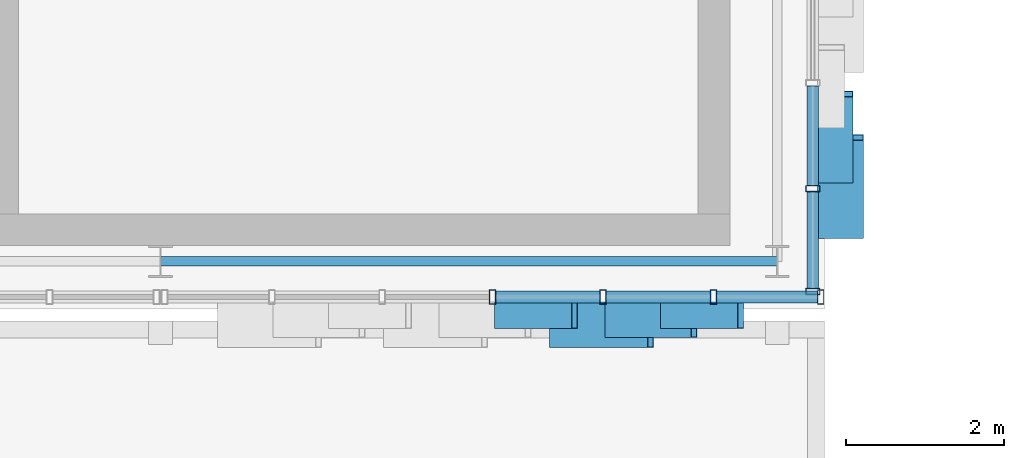
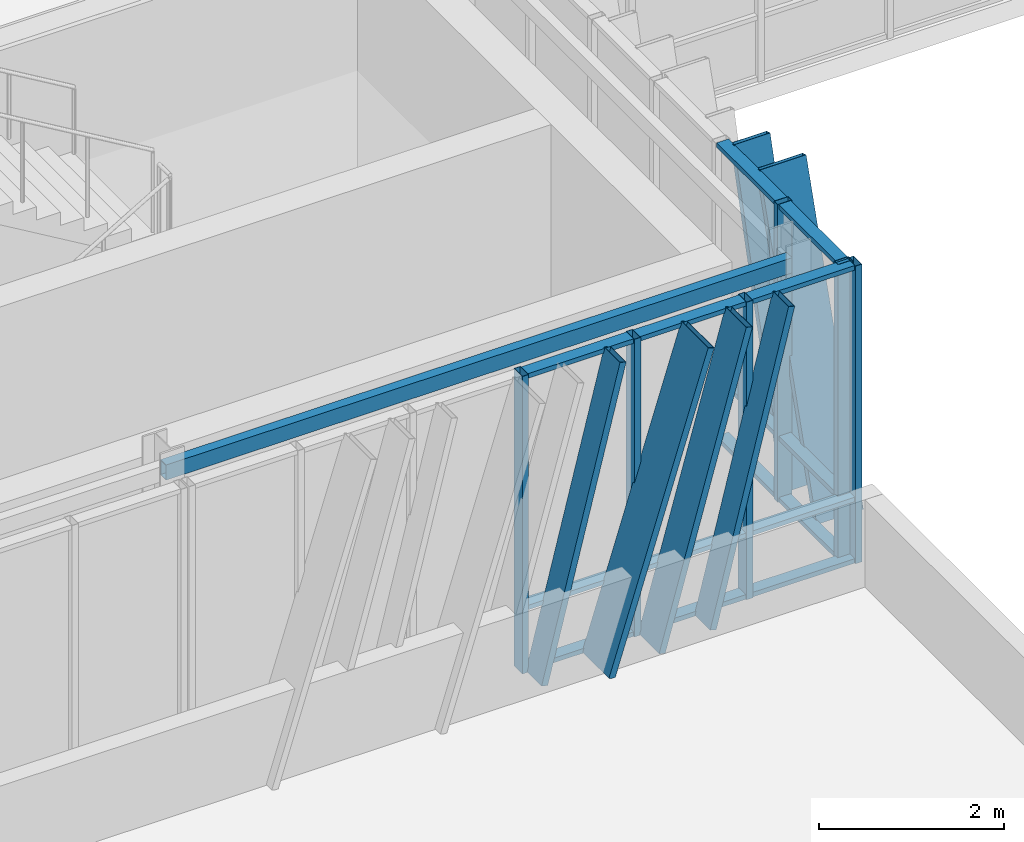
# One storey, part 28 of 127: 27 members, 1 beam, 2 elements without a shape of their own.
"""IFC4 building model written with IfcOpenShell, lengths in metres."""

from ifc_helpers import new_model, si_unit, direction, frame, origin, origin_2d, place, context, subcontext, project, spatial, hollow_rectangle, extrude, material, layer, layer_set, material_profile, profile_set, type_object, element, aggregate, save


model = new_model("IFC4")

# Units and contexts
model_context = context("Model", 3, precision=1e-05, world=origin(), true_north=direction((0.0, 1.0)))
body_context = subcontext(model_context, "Body", "Model", "MODEL_VIEW")
ifc_project = project(units=[si_unit("LENGTHUNIT", "METRE"), si_unit("AREAUNIT", "SQUARE_METRE"), si_unit("VOLUMEUNIT", "CUBIC_METRE"), si_unit("PLANEANGLEUNIT", "RADIAN"), si_unit("MASSUNIT", "GRAM", prefix="KILO")], contexts=[model_context])

# Site, building, storey
site_placement = place(None, origin())
site = spatial("IfcSite", under=ifc_project, at=site_placement, CompositionType="ELEMENT")
building_placement = place(site_placement, origin())
building = spatial("IfcBuilding", under=site, at=building_placement, Name="Zayran Congress Hotel", CompositionType="ELEMENT")
storey_placement = place(building_placement, frame((0.0, 0.0, 10.800048828125)))
storey = spatial("IfcBuildingStorey", under=building, at=storey_placement, Name="L02", CompositionType="ELEMENT", Elevation=10.800048828125)

# Beam
ifc_material_1 = material(Name="Steel S355", Category="steel")
ifc_material_profile_1 = material_profile(ifc_material_1, hollow_rectangle(XDim=0.1201171875, YDim=0.199951171875, WallThickness=0.008056640625, at=origin_2d()), Name="RHS 200x120x8")
ifc_profile_set_1 = profile_set([ifc_material_profile_1], Name="Steel S355")
beam_type = type_object("IfcBeamType", Name="TP-SP-02", PredefinedType="SPANDREL", material=ifc_profile_set_1)
beam_placement = place(storey_placement, frame((84.0, 68.199951171875, 3.820068359375), z_axis=(1.0, 0.0, 0.0), x_axis=(0.0, 1.0, 0.0)))
element("IfcBeam", 1, at=beam_placement, inside=storey, type_object=beam_type, Name="BM-V1-L02-0661", PredefinedType="SPANDREL", context=body_context, shape_type="SweptSolid", body=[
    extrude(hollow_rectangle(XDim=0.1201171875, YDim=0.199951171875, WallThickness=0.008056640625, at=origin_2d()), origin(), (0.0, 0.0, 1.0), 7.800048828125),
])

# Curtain wall, members
ifc_material_2 = material(Name="Anodised aluminium and low-E insulated glass", Category="aluminium")
ifc_layer_1 = layer(ifc_material_2, 0.179931640625)
ifc_layer_set_1 = layer_set([ifc_layer_1], Name="Anodised aluminium and low-E insulated glass")
curtain_wall_type_1 = type_object("IfcCurtainWallType", Name="CW-V1S-L02-CW-11-8380-3920", PredefinedType="USERDEFINED", material=ifc_layer_set_1)
curtain_wall_1_placement = place(storey_placement, origin())
curtain_wall_1 = element("IfcCurtainWall", 2, at=curtain_wall_1_placement, inside=storey, type_object=curtain_wall_type_1, Name="CW-V1S-L02-9", ObjectType="CURTAIN WALL", PredefinedType="USERDEFINED")
ifc_material_3 = material(Name="Anodised aluminium framing", Category="aluminium")
ifc_material_profile_2 = material_profile(ifc_material_3, hollow_rectangle(XDim=0.080078125, YDim=0.179931640625, WallThickness=0.0048828125, at=origin_2d()), Name="RHS 180x80x5")
ifc_profile_set_2 = profile_set([ifc_material_profile_2], Name="Anodised aluminium framing")
member_type_1 = type_object("IfcMemberType", Name="TP-CWM-01", PredefinedType="MULLION", material=ifc_profile_set_2)
member_1_placement = place(storey_placement, frame((88.199951171875, 67.75, 0.0), z_axis=(0.0, 0.0, 1.0), x_axis=(1.0, 0.0, 0.0)))
member_1 = element("IfcMember", 3, at=member_1_placement, type_object=member_type_1, Name="CW-V1S-L02-9-M03", PredefinedType="MULLION", context=body_context, shape_type="SweptSolid", body=[
    extrude(hollow_rectangle(XDim=0.080078125, YDim=0.179931640625, WallThickness=0.0048828125, at=origin_2d()), origin(), (0.0, 0.0, 1.0), 3.919921875),
])
member_2_placement = place(storey_placement, frame((89.5966796875, 67.75, 0.0), z_axis=(0.0, 0.0, 1.0), x_axis=(1.0, 0.0, 0.0)))
member_2 = element("IfcMember", 4, at=member_2_placement, type_object=member_type_1, Name="CW-V1S-L02-9-M04", PredefinedType="MULLION", context=body_context, shape_type="SweptSolid", body=[
    extrude(hollow_rectangle(XDim=0.080078125, YDim=0.179931640625, WallThickness=0.0048828125, at=origin_2d()), origin(), (0.0, 0.0, 1.0), 3.919921875),
])
member_3_placement = place(storey_placement, frame((90.993408203125, 67.75, 0.0), z_axis=(0.0, 0.0, 1.0), x_axis=(1.0, 0.0, 0.0)))
member_3 = element("IfcMember", 5, at=member_3_placement, type_object=member_type_1, Name="CW-V1S-L02-9-M05", PredefinedType="MULLION", context=body_context, shape_type="SweptSolid", body=[
    extrude(hollow_rectangle(XDim=0.080078125, YDim=0.179931640625, WallThickness=0.0048828125, at=origin_2d()), origin(), (0.0, 0.0, 1.0), 3.919921875),
])
member_4_placement = place(storey_placement, frame((92.35009765625, 67.75, 0.0), z_axis=(0.0, 0.0, 1.0), x_axis=(1.0, 0.0, 0.0)))
member_4 = element("IfcMember", 6, at=member_4_placement, type_object=member_type_1, Name="CW-V1S-L02-9-M06", PredefinedType="MULLION", context=body_context, shape_type="SweptSolid", body=[
    extrude(hollow_rectangle(XDim=0.080078125, YDim=0.179931640625, WallThickness=0.0048828125, at=origin_2d()), origin(), (0.0, 0.0, 1.0), 3.919921875),
])

ifc_layer_2 = layer(ifc_material_2, 0.179931640625)
ifc_layer_set_2 = layer_set([ifc_layer_2], Name="Anodised aluminium and low-E insulated glass")
curtain_wall_type_2 = type_object("IfcCurtainWallType", Name="CW-V1E-L02-CW-41-8040-3920", PredefinedType="USERDEFINED", material=ifc_layer_set_2)
curtain_wall_2_placement = place(storey_placement, origin())
curtain_wall_2 = element("IfcCurtainWall", 7, at=curtain_wall_2_placement, inside=storey, type_object=curtain_wall_type_2, Name="CW-V1E-L02-0", ObjectType="CURTAIN WALL", PredefinedType="USERDEFINED")
member_5_placement = place(storey_placement, frame((92.25, 67.820068359375, 0.0), z_axis=(0.0, 0.0, 1.0), x_axis=(0.0, 1.0, 0.0)))
member_5 = element("IfcMember", 8, at=member_5_placement, type_object=member_type_1, Name="CW-V1E-L02-0-M00", PredefinedType="MULLION", context=body_context, shape_type="SweptSolid", body=[
    extrude(hollow_rectangle(XDim=0.080078125, YDim=0.179931640625, WallThickness=0.0048828125, at=origin_2d()), origin(), (0.0, 0.0, 1.0), 3.919921875),
])
member_6_placement = place(storey_placement, frame((92.25, 69.1201171875, 0.0), z_axis=(0.0, 0.0, 1.0), x_axis=(0.0, 1.0, 0.0)))
member_6 = element("IfcMember", 9, at=member_6_placement, type_object=member_type_1, Name="CW-V1E-L02-0-M01", PredefinedType="MULLION", context=body_context, shape_type="SweptSolid", body=[
    extrude(hollow_rectangle(XDim=0.080078125, YDim=0.179931640625, WallThickness=0.0048828125, at=origin_2d()), origin(), (0.0, 0.0, 1.0), 3.919921875),
])

# Member
ifc_material_profile_3 = material_profile(ifc_material_3, hollow_rectangle(XDim=0.06005859375, YDim=0.14990234375, WallThickness=0.00390625, at=origin_2d()), Name="RHS 150x60x4")
ifc_profile_set_3 = profile_set([ifc_material_profile_3], Name="Anodised aluminium framing")
member_type_2 = type_object("IfcMemberType", Name="TP-CWT-01", PredefinedType="USERDEFINED", material=ifc_profile_set_3)
member_7_placement = place(storey_placement, frame((88.239990234375, 67.75, 0.030029296875), z_axis=(1.0, 0.0, 0.0), x_axis=(0.0, 0.0, 1.0)))
member_7 = element("IfcMember", 10, at=member_7_placement, type_object=member_type_2, Name="CW-V1S-L02-9-T03-0", ObjectType="TRANSOM", PredefinedType="USERDEFINED", context=body_context, shape_type="SweptSolid", body=[
    extrude(hollow_rectangle(XDim=0.06005859375, YDim=0.14990234375, WallThickness=0.00390625, at=origin_2d()), origin(), (0.0, 0.0, 1.0), 1.316650390625),
])

member_8_placement = place(storey_placement, frame((88.239990234375, 67.75, 0.83984375), z_axis=(1.0, 0.0, 0.0), x_axis=(0.0, 0.0, 1.0)))
member_8 = element("IfcMember", 11, at=member_8_placement, type_object=member_type_2, Name="CW-V1S-L02-9-T03-1", ObjectType="TRANSOM", PredefinedType="USERDEFINED", context=body_context, shape_type="SweptSolid", body=[
    extrude(hollow_rectangle(XDim=0.06005859375, YDim=0.14990234375, WallThickness=0.00390625, at=origin_2d()), origin(), (0.0, 0.0, 1.0), 1.316650390625),
])

member_9_placement = place(storey_placement, frame((88.239990234375, 67.75, 3.889892578125), z_axis=(1.0, 0.0, 0.0), x_axis=(0.0, 0.0, 1.0)))
member_9 = element("IfcMember", 12, at=member_9_placement, type_object=member_type_2, Name="CW-V1S-L02-9-T03-2", ObjectType="TRANSOM", PredefinedType="USERDEFINED", context=body_context, shape_type="SweptSolid", body=[
    extrude(hollow_rectangle(XDim=0.06005859375, YDim=0.14990234375, WallThickness=0.00390625, at=origin_2d()), origin(), (0.0, 0.0, 1.0), 1.316650390625),
])

member_10_placement = place(storey_placement, frame((89.63671875, 67.75, 0.030029296875), z_axis=(1.0, 0.0, 0.0), x_axis=(0.0, 0.0, 1.0)))
member_10 = element("IfcMember", 13, at=member_10_placement, type_object=member_type_2, Name="CW-V1S-L02-9-T04-0", ObjectType="TRANSOM", PredefinedType="USERDEFINED", context=body_context, shape_type="SweptSolid", body=[
    extrude(hollow_rectangle(XDim=0.06005859375, YDim=0.14990234375, WallThickness=0.00390625, at=origin_2d()), origin(), (0.0, 0.0, 1.0), 1.316650390625),
])

member_11_placement = place(storey_placement, frame((89.63671875, 67.75, 0.83984375), z_axis=(1.0, 0.0, 0.0), x_axis=(0.0, 0.0, 1.0)))
member_11 = element("IfcMember", 14, at=member_11_placement, type_object=member_type_2, Name="CW-V1S-L02-9-T04-1", ObjectType="TRANSOM", PredefinedType="USERDEFINED", context=body_context, shape_type="SweptSolid", body=[
    extrude(hollow_rectangle(XDim=0.06005859375, YDim=0.14990234375, WallThickness=0.00390625, at=origin_2d()), origin(), (0.0, 0.0, 1.0), 1.316650390625),
])

member_12_placement = place(storey_placement, frame((89.63671875, 67.75, 3.889892578125), z_axis=(1.0, 0.0, 0.0), x_axis=(0.0, 0.0, 1.0)))
member_12 = element("IfcMember", 15, at=member_12_placement, type_object=member_type_2, Name="CW-V1S-L02-9-T04-2", ObjectType="TRANSOM", PredefinedType="USERDEFINED", context=body_context, shape_type="SweptSolid", body=[
    extrude(hollow_rectangle(XDim=0.06005859375, YDim=0.14990234375, WallThickness=0.00390625, at=origin_2d()), origin(), (0.0, 0.0, 1.0), 1.316650390625),
])

member_13_placement = place(storey_placement, frame((91.033203125, 67.75, 0.030029296875), z_axis=(1.0, 0.0, 0.0), x_axis=(0.0, 0.0, 1.0)))
member_13 = element("IfcMember", 16, at=member_13_placement, type_object=member_type_2, Name="CW-V1S-L02-9-T05-0", ObjectType="TRANSOM", PredefinedType="USERDEFINED", context=body_context, shape_type="SweptSolid", body=[
    extrude(hollow_rectangle(XDim=0.06005859375, YDim=0.14990234375, WallThickness=0.00390625, at=origin_2d()), origin(), (0.0, 0.0, 1.0), 1.27685546875),
])

member_14_placement = place(storey_placement, frame((91.033203125, 67.75, 0.83984375), z_axis=(1.0, 0.0, 0.0), x_axis=(0.0, 0.0, 1.0)))
member_14 = element("IfcMember", 17, at=member_14_placement, type_object=member_type_2, Name="CW-V1S-L02-9-T05-1", ObjectType="TRANSOM", PredefinedType="USERDEFINED", context=body_context, shape_type="SweptSolid", body=[
    extrude(hollow_rectangle(XDim=0.06005859375, YDim=0.14990234375, WallThickness=0.00390625, at=origin_2d()), origin(), (0.0, 0.0, 1.0), 1.27685546875),
])

member_15_placement = place(storey_placement, frame((91.033203125, 67.75, 3.889892578125), z_axis=(1.0, 0.0, 0.0), x_axis=(0.0, 0.0, 1.0)))
member_15 = element("IfcMember", 18, at=member_15_placement, type_object=member_type_2, Name="CW-V1S-L02-9-T05-2", ObjectType="TRANSOM", PredefinedType="USERDEFINED", context=body_context, shape_type="SweptSolid", body=[
    extrude(hollow_rectangle(XDim=0.06005859375, YDim=0.14990234375, WallThickness=0.00390625, at=origin_2d()), origin(), (0.0, 0.0, 1.0), 1.27685546875),
])

member_16_placement = place(storey_placement, frame((92.25, 67.860107421875, 0.030029296875), z_axis=(0.0, 1.0, 0.0), x_axis=(0.0, 0.0, 1.0)))
member_16 = element("IfcMember", 19, at=member_16_placement, type_object=member_type_2, Name="CW-V1E-L02-0-T00-0", ObjectType="TRANSOM", PredefinedType="USERDEFINED", context=body_context, shape_type="SweptSolid", body=[
    extrude(hollow_rectangle(XDim=0.06005859375, YDim=0.14990234375, WallThickness=0.00390625, at=origin_2d()), origin(), (0.0, 0.0, 1.0), 1.219970703125),
])

member_17_placement = place(storey_placement, frame((92.25, 67.860107421875, 0.83984375), z_axis=(0.0, 1.0, 0.0), x_axis=(0.0, 0.0, 1.0)))
member_17 = element("IfcMember", 20, at=member_17_placement, type_object=member_type_2, Name="CW-V1E-L02-0-T00-1", ObjectType="TRANSOM", PredefinedType="USERDEFINED", context=body_context, shape_type="SweptSolid", body=[
    extrude(hollow_rectangle(XDim=0.06005859375, YDim=0.14990234375, WallThickness=0.00390625, at=origin_2d()), origin(), (0.0, 0.0, 1.0), 1.219970703125),
])

member_18_placement = place(storey_placement, frame((92.25, 67.860107421875, 3.889892578125), z_axis=(0.0, 1.0, 0.0), x_axis=(0.0, 0.0, 1.0)))
member_18 = element("IfcMember", 21, at=member_18_placement, type_object=member_type_2, Name="CW-V1E-L02-0-T00-2", ObjectType="TRANSOM", PredefinedType="USERDEFINED", context=body_context, shape_type="SweptSolid", body=[
    extrude(hollow_rectangle(XDim=0.06005859375, YDim=0.14990234375, WallThickness=0.00390625, at=origin_2d()), origin(), (0.0, 0.0, 1.0), 1.219970703125),
])

member_19_placement = place(storey_placement, frame((92.25, 69.159912109375, 0.030029296875), z_axis=(0.0, 1.0, 0.0), x_axis=(0.0, 0.0, 1.0)))
member_19 = element("IfcMember", 22, at=member_19_placement, type_object=member_type_2, Name="CW-V1E-L02-0-T01-0", ObjectType="TRANSOM", PredefinedType="USERDEFINED", context=body_context, shape_type="SweptSolid", body=[
    extrude(hollow_rectangle(XDim=0.06005859375, YDim=0.14990234375, WallThickness=0.00390625, at=origin_2d()), origin(), (0.0, 0.0, 1.0), 1.260009765625),
])

member_20_placement = place(storey_placement, frame((92.25, 69.159912109375, 0.83984375), z_axis=(0.0, 1.0, 0.0), x_axis=(0.0, 0.0, 1.0)))
member_20 = element("IfcMember", 23, at=member_20_placement, type_object=member_type_2, Name="CW-V1E-L02-0-T01-1", ObjectType="TRANSOM", PredefinedType="USERDEFINED", context=body_context, shape_type="SweptSolid", body=[
    extrude(hollow_rectangle(XDim=0.06005859375, YDim=0.14990234375, WallThickness=0.00390625, at=origin_2d()), origin(), (0.0, 0.0, 1.0), 1.260009765625),
])

member_21_placement = place(storey_placement, frame((92.25, 69.159912109375, 3.889892578125), z_axis=(0.0, 1.0, 0.0), x_axis=(0.0, 0.0, 1.0)))
member_21 = element("IfcMember", 24, at=member_21_placement, type_object=member_type_2, Name="CW-V1E-L02-0-T01-2", ObjectType="TRANSOM", PredefinedType="USERDEFINED", context=body_context, shape_type="SweptSolid", body=[
    extrude(hollow_rectangle(XDim=0.06005859375, YDim=0.14990234375, WallThickness=0.00390625, at=origin_2d()), origin(), (0.0, 0.0, 1.0), 1.260009765625),
])

ifc_material_4 = material(Name="Warm bronze anodised aluminium", Category="aluminium")
ifc_material_profile_4 = material_profile(ifc_material_4, hollow_rectangle(XDim=0.080078125, YDim=0.580078125, WallThickness=0.006103515625, at=origin_2d()), Name="RHS 580x80x6")
ifc_profile_set_4 = profile_set([ifc_material_profile_4], Name="Warm bronze anodised aluminium")
member_type_3 = type_object("IfcMemberType", Name="TP-RFN-01", PredefinedType="MULLION", material=ifc_profile_set_4)
member_22_placement = place(storey_placement, frame((88.9599609375, 67.39990234375, 0.0), z_axis=(0.300736197829, 0.0, 0.953707365661), x_axis=(-0.953707365661, 0.0, 0.300736197829)))
member_22 = element("IfcMember", 25, at=member_22_placement, type_object=member_type_3, Name="Slanting Reed Mullion CW-11-07", PredefinedType="MULLION", context=body_context, shape_type="SweptSolid", body=[
    extrude(hollow_rectangle(XDim=0.080078125, YDim=0.580078125, WallThickness=0.006103515625, at=origin_2d()), origin(), (0.0, 0.0, 1.0), 4.110107421875),
])

member_23_placement = place(storey_placement, frame((92.60009765625, 68.530029296875, 0.0), z_axis=(0.0, 0.300736197829, 0.953707365661), x_axis=(0.0, -0.953707365661, 0.300736197829)))
member_23 = element("IfcMember", 26, at=member_23_placement, type_object=member_type_3, Name="Slanting Reed Mullion CW-41-01", PredefinedType="MULLION", context=body_context, shape_type="SweptSolid", body=[
    extrude(hollow_rectangle(XDim=0.080078125, YDim=0.580078125, WallThickness=0.006103515625, at=origin_2d()), origin(), (0.0, 0.0, 1.0), 4.110107421875),
])

ifc_material_profile_5 = material_profile(ifc_material_4, hollow_rectangle(XDim=0.080078125, YDim=0.449951171875, WallThickness=0.006103515625, at=origin_2d()), Name="RHS 450x80x6")
ifc_profile_set_5 = profile_set([ifc_material_profile_5], Name="Warm bronze anodised aluminium")
member_type_4 = type_object("IfcMemberType", Name="TP-RFN-02", PredefinedType="MULLION", material=ifc_profile_set_5)
member_24_placement = place(storey_placement, frame((89.659912109375, 67.465087890625, 0.0), z_axis=(0.267253820088, 0.0, 0.963626170072), x_axis=(-0.963626170072, 0.0, 0.267253820088)))
member_24 = element("IfcMember", 27, at=member_24_placement, type_object=member_type_4, Name="Slanting Reed Mullion CW-11-08", PredefinedType="MULLION", context=body_context, shape_type="SweptSolid", body=[
    extrude(hollow_rectangle(XDim=0.080078125, YDim=0.449951171875, WallThickness=0.006103515625, at=origin_2d()), origin(), (0.0, 0.0, 1.0), 4.06787109375),
])

member_25_placement = place(storey_placement, frame((92.534912109375, 69.22998046875, 0.0), z_axis=(0.0, 0.267253820088, 0.963626170072), x_axis=(0.0, -0.963626170072, 0.267253820088)))
member_25 = element("IfcMember", 28, at=member_25_placement, type_object=member_type_4, Name="Slanting Reed Mullion CW-41-02", PredefinedType="MULLION", context=body_context, shape_type="SweptSolid", body=[
    extrude(hollow_rectangle(XDim=0.080078125, YDim=0.449951171875, WallThickness=0.006103515625, at=origin_2d()), origin(), (0.0, 0.0, 1.0), 4.06787109375),
])

aggregate(curtain_wall_2, [member_5, member_6, member_16, member_17, member_18, member_19, member_20, member_21, member_23, member_25])

ifc_material_profile_6 = material_profile(ifc_material_4, hollow_rectangle(XDim=0.080078125, YDim=0.340087890625, WallThickness=0.006103515625, at=origin_2d()), Name="RHS 340x80x6")
ifc_profile_set_6 = profile_set([ifc_material_profile_6], Name="Warm bronze anodised aluminium")
member_type_5 = type_object("IfcMemberType", Name="TP-RFN-03", PredefinedType="MULLION", material=ifc_profile_set_6)
member_26_placement = place(storey_placement, frame((88.260009765625, 67.52001953125, 0.0), z_axis=(0.241909924035, 0.0, 0.970298711044), x_axis=(-0.970298711044, 0.0, 0.241909924035)))
member_26 = element("IfcMember", 29, at=member_26_placement, type_object=member_type_5, Name="Slanting Reed Mullion CW-11-06", PredefinedType="MULLION", context=body_context, shape_type="SweptSolid", body=[
    extrude(hollow_rectangle(XDim=0.080078125, YDim=0.340087890625, WallThickness=0.006103515625, at=origin_2d()), origin(), (0.0, 0.0, 1.0), 4.039794921875),
])

member_27_placement = place(storey_placement, frame((90.360107421875, 67.52001953125, 0.0), z_axis=(0.241909924035, 0.0, 0.970298711044), x_axis=(-0.970298711044, 0.0, 0.241909924035)))
member_27 = element("IfcMember", 30, at=member_27_placement, type_object=member_type_5, Name="Slanting Reed Mullion CW-11-09", PredefinedType="MULLION", context=body_context, shape_type="SweptSolid", body=[
    extrude(hollow_rectangle(XDim=0.080078125, YDim=0.340087890625, WallThickness=0.006103515625, at=origin_2d()), origin(), (0.0, 0.0, 1.0), 4.039794921875),
])

aggregate(curtain_wall_1, [member_1, member_2, member_3, member_4, member_7, member_8, member_9, member_10, member_11, member_12, member_13, member_14, member_15, member_26, member_22, member_24, member_27])

save(model, "model.ifc")
